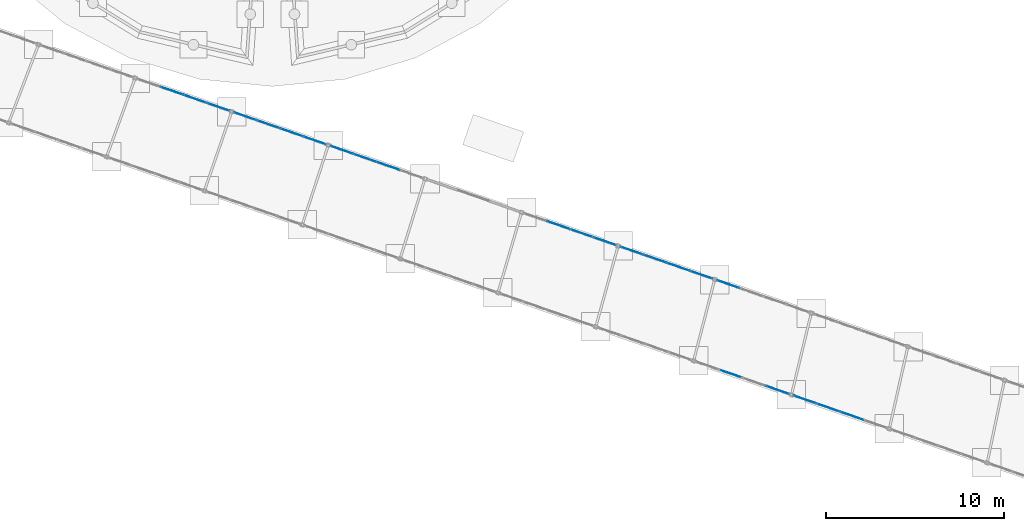
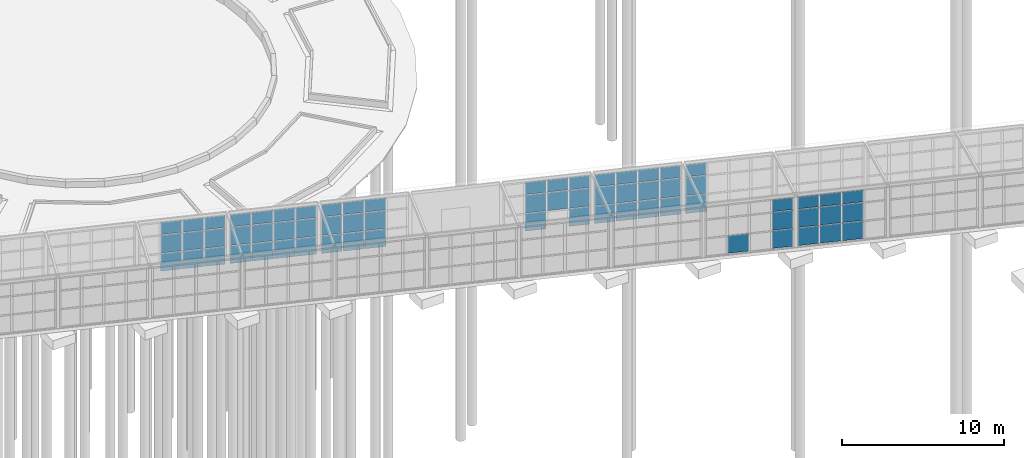
# One storey, part 125 of 226: 66 plates, 8 elements without a shape of their own.
"""IFC4 building model written with IfcOpenShell, lengths in metres."""

from ifc_helpers import new_model, si_unit, direction, frame, origin, origin_2d, place, context, subcontext, project, spatial, rectangle, extrude, material, layer, layer_set, type_object, element, aggregate, save


model = new_model("IFC4")

# Units and contexts
model_context = context("Model", 3, precision=1e-05, world=origin(), true_north=direction((0.0, 1.0)))
body_context = subcontext(model_context, "Body", "Model", "MODEL_VIEW")
ifc_project = project(units=[si_unit("LENGTHUNIT", "METRE"), si_unit("AREAUNIT", "SQUARE_METRE"), si_unit("VOLUMEUNIT", "CUBIC_METRE"), si_unit("PLANEANGLEUNIT", "RADIAN"), si_unit("MASSUNIT", "GRAM", prefix="KILO")], contexts=[model_context])

# Site, building, storey
site_placement = place(None, origin())
site = spatial("IfcSite", under=ifc_project, at=site_placement, CompositionType="ELEMENT")
building_placement = place(site_placement, origin())
building = spatial("IfcBuilding", under=site, at=building_placement, Name="Ceibo Conservatory and Research Tower", CompositionType="ELEMENT")
storey_placement = place(building_placement, origin())
storey = spatial("IfcBuildingStorey", under=building, at=storey_placement, Name="L00", CompositionType="ELEMENT", Elevation=0.0)

# Curtain wall, plates
ifc_material_1 = material(Name="Aluminium and glass", Category="aluminium")
curtain_wall_type = type_object("IfcCurtainWallType", Name="Gallery curtain wall", PredefinedType="NOTDEFINED", material=ifc_material_1)
curtain_wall_1_placement = place(storey_placement, origin())
curtain_wall_1 = element("IfcCurtainWall", 1, at=curtain_wall_1_placement, inside=storey, type_object=curtain_wall_type, Name="Gallery curtain wall AUD-VC-CWN05", PredefinedType="NOTDEFINED")
ifc_material_2 = material(Name="Laminated glass", Category="glass")
ifc_layer = layer(ifc_material_2, 0.028076171875)
ifc_layer_set = layer_set([ifc_layer], Name="Laminated glass")
plate_type = type_object("IfcPlateType", Name="Gallery glass 28", PredefinedType="CURTAIN_PANEL", material=ifc_layer_set)
plate_1_placement = place(storey_placement, frame((90.358154296875, 61.75439453125, 0.06005859375), z_axis=(0.0, 0.0, 1.0), x_axis=(0.944579236191, -0.328283515513, 0.0)))
plate_1 = element("IfcPlate", 2, at=plate_1_placement, type_object=plate_type, Name="AUD-VC-CWN05 panel 2.1", PredefinedType="CURTAIN_PANEL", context=body_context, shape_type="SweptSolid", body=[
    extrude(rectangle(XDim=1.32470703125, YDim=0.028076171875, at=origin_2d()), origin(), (0.0, 0.0, 1.0), 1.31005859375),
])
plate_2_placement = place(storey_placement, frame((90.358154296875, 61.75439453125, 1.43017578125), z_axis=(0.0, 0.0, 1.0), x_axis=(0.944579236191, -0.328283515513, 0.0)))
plate_2 = element("IfcPlate", 3, at=plate_2_placement, type_object=plate_type, Name="AUD-VC-CWN05 panel 2.2", PredefinedType="CURTAIN_PANEL", context=body_context, shape_type="SweptSolid", body=[
    extrude(rectangle(XDim=1.32470703125, YDim=0.028076171875, at=origin_2d()), origin(), (0.0, 0.0, 1.0), 1.340087890625),
])
plate_3_placement = place(storey_placement, frame((90.358154296875, 61.75439453125, 2.830078125), z_axis=(0.0, 0.0, 1.0), x_axis=(0.944579236191, -0.328283515513, 0.0)))
plate_3 = element("IfcPlate", 4, at=plate_3_placement, type_object=plate_type, Name="AUD-VC-CWN05 panel 2.3", PredefinedType="CURTAIN_PANEL", context=body_context, shape_type="SweptSolid", body=[
    extrude(rectangle(XDim=1.32470703125, YDim=0.028076171875, at=origin_2d()), origin(), (0.0, 0.0, 1.0), 0.909912109375),
])
plate_4_placement = place(storey_placement, frame((91.666259765625, 61.300048828125, 0.06005859375), z_axis=(0.0, 0.0, 1.0), x_axis=(0.944579236191, -0.328283515513, 0.0)))
plate_4 = element("IfcPlate", 5, at=plate_4_placement, type_object=plate_type, Name="AUD-VC-CWN05 panel 3.1", PredefinedType="CURTAIN_PANEL", context=body_context, shape_type="SweptSolid", body=[
    extrude(rectangle(XDim=1.32470703125, YDim=0.028076171875, at=origin_2d()), origin(), (0.0, 0.0, 1.0), 1.31005859375),
])
plate_5_placement = place(storey_placement, frame((91.666259765625, 61.300048828125, 1.43017578125), z_axis=(0.0, 0.0, 1.0), x_axis=(0.944579236191, -0.328283515513, 0.0)))
plate_5 = element("IfcPlate", 6, at=plate_5_placement, type_object=plate_type, Name="AUD-VC-CWN05 panel 3.2", PredefinedType="CURTAIN_PANEL", context=body_context, shape_type="SweptSolid", body=[
    extrude(rectangle(XDim=1.32470703125, YDim=0.028076171875, at=origin_2d()), origin(), (0.0, 0.0, 1.0), 1.340087890625),
])
plate_6_placement = place(storey_placement, frame((91.666259765625, 61.300048828125, 2.830078125), z_axis=(0.0, 0.0, 1.0), x_axis=(0.944579236191, -0.328283515513, 0.0)))
plate_6 = element("IfcPlate", 7, at=plate_6_placement, type_object=plate_type, Name="AUD-VC-CWN05 panel 3.3", PredefinedType="CURTAIN_PANEL", context=body_context, shape_type="SweptSolid", body=[
    extrude(rectangle(XDim=1.32470703125, YDim=0.028076171875, at=origin_2d()), origin(), (0.0, 0.0, 1.0), 0.909912109375),
])
plate_7_placement = place(storey_placement, frame((92.9599609375, 60.850341796875, 0.06005859375), z_axis=(0.0, 0.0, 1.0), x_axis=(0.944579236191, -0.328283515513, 0.0)))
plate_7 = element("IfcPlate", 8, at=plate_7_placement, type_object=plate_type, Name="AUD-VC-CWN05 panel 4.1", PredefinedType="CURTAIN_PANEL", context=body_context, shape_type="SweptSolid", body=[
    extrude(rectangle(XDim=1.294677734375, YDim=0.028076171875, at=origin_2d()), origin(), (0.0, 0.0, 1.0), 1.31005859375),
])
plate_8_placement = place(storey_placement, frame((92.9599609375, 60.850341796875, 1.43017578125), z_axis=(0.0, 0.0, 1.0), x_axis=(0.944579236191, -0.328283515513, 0.0)))
plate_8 = element("IfcPlate", 9, at=plate_8_placement, type_object=plate_type, Name="AUD-VC-CWN05 panel 4.2", PredefinedType="CURTAIN_PANEL", context=body_context, shape_type="SweptSolid", body=[
    extrude(rectangle(XDim=1.294677734375, YDim=0.028076171875, at=origin_2d()), origin(), (0.0, 0.0, 1.0), 1.340087890625),
])
plate_9_placement = place(storey_placement, frame((92.9599609375, 60.850341796875, 2.830078125), z_axis=(0.0, 0.0, 1.0), x_axis=(0.944579236191, -0.328283515513, 0.0)))
plate_9 = element("IfcPlate", 10, at=plate_9_placement, type_object=plate_type, Name="AUD-VC-CWN05 panel 4.3", PredefinedType="CURTAIN_PANEL", context=body_context, shape_type="SweptSolid", body=[
    extrude(rectangle(XDim=1.294677734375, YDim=0.028076171875, at=origin_2d()), origin(), (0.0, 0.0, 1.0), 0.909912109375),
])
aggregate(curtain_wall_1, [plate_1, plate_2, plate_3, plate_4, plate_5, plate_6, plate_7, plate_8, plate_9])

curtain_wall_2_placement = place(storey_placement, origin())
curtain_wall_2 = element("IfcCurtainWall", 11, at=curtain_wall_2_placement, inside=storey, type_object=curtain_wall_type, Name="Gallery curtain wall AUD-VC-CWN06", PredefinedType="NOTDEFINED")
plate_10_placement = place(storey_placement, frame((94.485107421875, 60.3203125, 0.06005859375), z_axis=(0.0, 0.0, 1.0), x_axis=(0.944579236191, -0.328283515513, 0.0)))
plate_10 = element("IfcPlate", 12, at=plate_10_placement, type_object=plate_type, Name="AUD-VC-CWN06 panel 1.1", PredefinedType="CURTAIN_PANEL", context=body_context, shape_type="SweptSolid", body=[
    extrude(rectangle(XDim=1.294677734375, YDim=0.028076171875, at=origin_2d()), origin(), (0.0, 0.0, 1.0), 1.31005859375),
])
plate_11_placement = place(storey_placement, frame((94.485107421875, 60.3203125, 1.43017578125), z_axis=(0.0, 0.0, 1.0), x_axis=(0.944579236191, -0.328283515513, 0.0)))
plate_11 = element("IfcPlate", 13, at=plate_11_placement, type_object=plate_type, Name="AUD-VC-CWN06 panel 1.2", PredefinedType="CURTAIN_PANEL", context=body_context, shape_type="SweptSolid", body=[
    extrude(rectangle(XDim=1.294677734375, YDim=0.028076171875, at=origin_2d()), origin(), (0.0, 0.0, 1.0), 1.340087890625),
])
plate_12_placement = place(storey_placement, frame((94.485107421875, 60.3203125, 2.830078125), z_axis=(0.0, 0.0, 1.0), x_axis=(0.944579236191, -0.328283515513, 0.0)))
plate_12 = element("IfcPlate", 14, at=plate_12_placement, type_object=plate_type, Name="AUD-VC-CWN06 panel 1.3", PredefinedType="CURTAIN_PANEL", context=body_context, shape_type="SweptSolid", body=[
    extrude(rectangle(XDim=1.294677734375, YDim=0.028076171875, at=origin_2d()), origin(), (0.0, 0.0, 1.0), 0.909912109375),
])
plate_13_placement = place(storey_placement, frame((95.77880859375, 59.87060546875, 0.06005859375), z_axis=(0.0, 0.0, 1.0), x_axis=(0.944579236191, -0.328283515513, 0.0)))
plate_13 = element("IfcPlate", 15, at=plate_13_placement, type_object=plate_type, Name="AUD-VC-CWN06 panel 2.1", PredefinedType="CURTAIN_PANEL", context=body_context, shape_type="SweptSolid", body=[
    extrude(rectangle(XDim=1.32470703125, YDim=0.028076171875, at=origin_2d()), origin(), (0.0, 0.0, 1.0), 1.31005859375),
])
plate_14_placement = place(storey_placement, frame((95.77880859375, 59.87060546875, 1.43017578125), z_axis=(0.0, 0.0, 1.0), x_axis=(0.944579236191, -0.328283515513, 0.0)))
plate_14 = element("IfcPlate", 16, at=plate_14_placement, type_object=plate_type, Name="AUD-VC-CWN06 panel 2.2", PredefinedType="CURTAIN_PANEL", context=body_context, shape_type="SweptSolid", body=[
    extrude(rectangle(XDim=1.32470703125, YDim=0.028076171875, at=origin_2d()), origin(), (0.0, 0.0, 1.0), 1.340087890625),
])
plate_15_placement = place(storey_placement, frame((95.77880859375, 59.87060546875, 2.830078125), z_axis=(0.0, 0.0, 1.0), x_axis=(0.944579236191, -0.328283515513, 0.0)))
plate_15 = element("IfcPlate", 17, at=plate_15_placement, type_object=plate_type, Name="AUD-VC-CWN06 panel 2.3", PredefinedType="CURTAIN_PANEL", context=body_context, shape_type="SweptSolid", body=[
    extrude(rectangle(XDim=1.32470703125, YDim=0.028076171875, at=origin_2d()), origin(), (0.0, 0.0, 1.0), 0.909912109375),
])
plate_16_placement = place(storey_placement, frame((97.086669921875, 59.416015625, 0.06005859375), z_axis=(0.0, 0.0, 1.0), x_axis=(0.944579236191, -0.328283515513, 0.0)))
plate_16 = element("IfcPlate", 18, at=plate_16_placement, type_object=plate_type, Name="AUD-VC-CWN06 panel 3.1", PredefinedType="CURTAIN_PANEL", context=body_context, shape_type="SweptSolid", body=[
    extrude(rectangle(XDim=1.32470703125, YDim=0.028076171875, at=origin_2d()), origin(), (0.0, 0.0, 1.0), 1.31005859375),
])
plate_17_placement = place(storey_placement, frame((97.086669921875, 59.416015625, 1.43017578125), z_axis=(0.0, 0.0, 1.0), x_axis=(0.944579236191, -0.328283515513, 0.0)))
plate_17 = element("IfcPlate", 19, at=plate_17_placement, type_object=plate_type, Name="AUD-VC-CWN06 panel 3.2", PredefinedType="CURTAIN_PANEL", context=body_context, shape_type="SweptSolid", body=[
    extrude(rectangle(XDim=1.32470703125, YDim=0.028076171875, at=origin_2d()), origin(), (0.0, 0.0, 1.0), 1.340087890625),
])
plate_18_placement = place(storey_placement, frame((97.086669921875, 59.416015625, 2.830078125), z_axis=(0.0, 0.0, 1.0), x_axis=(0.944579236191, -0.328283515513, 0.0)))
plate_18 = element("IfcPlate", 20, at=plate_18_placement, type_object=plate_type, Name="AUD-VC-CWN06 panel 3.3", PredefinedType="CURTAIN_PANEL", context=body_context, shape_type="SweptSolid", body=[
    extrude(rectangle(XDim=1.32470703125, YDim=0.028076171875, at=origin_2d()), origin(), (0.0, 0.0, 1.0), 0.909912109375),
])
plate_19_placement = place(storey_placement, frame((98.380615234375, 58.96630859375, 0.06005859375), z_axis=(0.0, 0.0, 1.0), x_axis=(0.944579236191, -0.328283515513, 0.0)))
plate_19 = element("IfcPlate", 21, at=plate_19_placement, type_object=plate_type, Name="AUD-VC-CWN06 panel 4.1", PredefinedType="CURTAIN_PANEL", context=body_context, shape_type="SweptSolid", body=[
    extrude(rectangle(XDim=1.294677734375, YDim=0.028076171875, at=origin_2d()), origin(), (0.0, 0.0, 1.0), 1.31005859375),
])
plate_20_placement = place(storey_placement, frame((98.380615234375, 58.96630859375, 1.43017578125), z_axis=(0.0, 0.0, 1.0), x_axis=(0.944579236191, -0.328283515513, 0.0)))
plate_20 = element("IfcPlate", 22, at=plate_20_placement, type_object=plate_type, Name="AUD-VC-CWN06 panel 4.2", PredefinedType="CURTAIN_PANEL", context=body_context, shape_type="SweptSolid", body=[
    extrude(rectangle(XDim=1.294677734375, YDim=0.028076171875, at=origin_2d()), origin(), (0.0, 0.0, 1.0), 1.340087890625),
])
plate_21_placement = place(storey_placement, frame((98.380615234375, 58.96630859375, 2.830078125), z_axis=(0.0, 0.0, 1.0), x_axis=(0.944579236191, -0.328283515513, 0.0)))
plate_21 = element("IfcPlate", 23, at=plate_21_placement, type_object=plate_type, Name="AUD-VC-CWN06 panel 4.3", PredefinedType="CURTAIN_PANEL", context=body_context, shape_type="SweptSolid", body=[
    extrude(rectangle(XDim=1.294677734375, YDim=0.028076171875, at=origin_2d()), origin(), (0.0, 0.0, 1.0), 0.909912109375),
])
aggregate(curtain_wall_2, [plate_10, plate_11, plate_12, plate_13, plate_14, plate_15, plate_16, plate_17, plate_18, plate_19, plate_20, plate_21])

curtain_wall_3_placement = place(storey_placement, origin())
curtain_wall_3 = element("IfcCurtainWall", 24, at=curtain_wall_3_placement, inside=storey, type_object=curtain_wall_type, Name="Gallery curtain wall AUD-VC-CWN07", PredefinedType="NOTDEFINED")
plate_22_placement = place(storey_placement, frame((99.90576171875, 58.436279296875, 0.06005859375), z_axis=(0.0, 0.0, 1.0), x_axis=(0.944579236191, -0.328283515513, 0.0)))
plate_22 = element("IfcPlate", 25, at=plate_22_placement, type_object=plate_type, Name="AUD-VC-CWN07 panel 1.1", PredefinedType="CURTAIN_PANEL", context=body_context, shape_type="SweptSolid", body=[
    extrude(rectangle(XDim=1.294677734375, YDim=0.028076171875, at=origin_2d()), origin(), (0.0, 0.0, 1.0), 1.31005859375),
])
plate_23_placement = place(storey_placement, frame((99.90576171875, 58.436279296875, 1.43017578125), z_axis=(0.0, 0.0, 1.0), x_axis=(0.944579236191, -0.328283515513, 0.0)))
plate_23 = element("IfcPlate", 26, at=plate_23_placement, type_object=plate_type, Name="AUD-VC-CWN07 panel 1.2", PredefinedType="CURTAIN_PANEL", context=body_context, shape_type="SweptSolid", body=[
    extrude(rectangle(XDim=1.294677734375, YDim=0.028076171875, at=origin_2d()), origin(), (0.0, 0.0, 1.0), 1.340087890625),
])
plate_24_placement = place(storey_placement, frame((99.90576171875, 58.436279296875, 2.830078125), z_axis=(0.0, 0.0, 1.0), x_axis=(0.944579236191, -0.328283515513, 0.0)))
plate_24 = element("IfcPlate", 27, at=plate_24_placement, type_object=plate_type, Name="AUD-VC-CWN07 panel 1.3", PredefinedType="CURTAIN_PANEL", context=body_context, shape_type="SweptSolid", body=[
    extrude(rectangle(XDim=1.294677734375, YDim=0.028076171875, at=origin_2d()), origin(), (0.0, 0.0, 1.0), 0.909912109375),
])
plate_25_placement = place(storey_placement, frame((101.199462890625, 57.98681640625, 0.06005859375), z_axis=(0.0, 0.0, 1.0), x_axis=(0.944579236191, -0.328283515513, 0.0)))
plate_25 = element("IfcPlate", 28, at=plate_25_placement, type_object=plate_type, Name="AUD-VC-CWN07 panel 2.1", PredefinedType="CURTAIN_PANEL", context=body_context, shape_type="SweptSolid", body=[
    extrude(rectangle(XDim=1.32470703125, YDim=0.028076171875, at=origin_2d()), origin(), (0.0, 0.0, 1.0), 1.31005859375),
])
plate_26_placement = place(storey_placement, frame((101.199462890625, 57.98681640625, 1.43017578125), z_axis=(0.0, 0.0, 1.0), x_axis=(0.944579236191, -0.328283515513, 0.0)))
plate_26 = element("IfcPlate", 29, at=plate_26_placement, type_object=plate_type, Name="AUD-VC-CWN07 panel 2.2", PredefinedType="CURTAIN_PANEL", context=body_context, shape_type="SweptSolid", body=[
    extrude(rectangle(XDim=1.32470703125, YDim=0.028076171875, at=origin_2d()), origin(), (0.0, 0.0, 1.0), 1.340087890625),
])
plate_27_placement = place(storey_placement, frame((101.199462890625, 57.98681640625, 2.830078125), z_axis=(0.0, 0.0, 1.0), x_axis=(0.944579236191, -0.328283515513, 0.0)))
plate_27 = element("IfcPlate", 30, at=plate_27_placement, type_object=plate_type, Name="AUD-VC-CWN07 panel 2.3", PredefinedType="CURTAIN_PANEL", context=body_context, shape_type="SweptSolid", body=[
    extrude(rectangle(XDim=1.32470703125, YDim=0.028076171875, at=origin_2d()), origin(), (0.0, 0.0, 1.0), 0.909912109375),
])
plate_28_placement = place(storey_placement, frame((102.50732421875, 57.5322265625, 0.06005859375), z_axis=(0.0, 0.0, 1.0), x_axis=(0.944579236191, -0.328283515513, 0.0)))
plate_28 = element("IfcPlate", 31, at=plate_28_placement, type_object=plate_type, Name="AUD-VC-CWN07 panel 3.1", PredefinedType="CURTAIN_PANEL", context=body_context, shape_type="SweptSolid", body=[
    extrude(rectangle(XDim=1.32470703125, YDim=0.028076171875, at=origin_2d()), origin(), (0.0, 0.0, 1.0), 1.31005859375),
])
plate_29_placement = place(storey_placement, frame((102.50732421875, 57.5322265625, 1.43017578125), z_axis=(0.0, 0.0, 1.0), x_axis=(0.944579236191, -0.328283515513, 0.0)))
plate_29 = element("IfcPlate", 32, at=plate_29_placement, type_object=plate_type, Name="AUD-VC-CWN07 panel 3.2", PredefinedType="CURTAIN_PANEL", context=body_context, shape_type="SweptSolid", body=[
    extrude(rectangle(XDim=1.32470703125, YDim=0.028076171875, at=origin_2d()), origin(), (0.0, 0.0, 1.0), 1.340087890625),
])
plate_30_placement = place(storey_placement, frame((102.50732421875, 57.5322265625, 2.830078125), z_axis=(0.0, 0.0, 1.0), x_axis=(0.944579236191, -0.328283515513, 0.0)))
plate_30 = element("IfcPlate", 33, at=plate_30_placement, type_object=plate_type, Name="AUD-VC-CWN07 panel 3.3", PredefinedType="CURTAIN_PANEL", context=body_context, shape_type="SweptSolid", body=[
    extrude(rectangle(XDim=1.32470703125, YDim=0.028076171875, at=origin_2d()), origin(), (0.0, 0.0, 1.0), 0.909912109375),
])
aggregate(curtain_wall_3, [plate_22, plate_23, plate_24, plate_25, plate_26, plate_27, plate_28, plate_29, plate_30])

curtain_wall_4_placement = place(storey_placement, origin())
curtain_wall_4 = element("IfcCurtainWall", 34, at=curtain_wall_4_placement, inside=storey, type_object=curtain_wall_type, Name="Gallery curtain wall AUD-VC-CWN09", PredefinedType="NOTDEFINED")
plate_31_placement = place(storey_placement, frame((112.04052734375, 54.218994140625, 0.06005859375), z_axis=(0.0, 0.0, 1.0), x_axis=(0.944579236191, -0.328283515513, 0.0)))
plate_31 = element("IfcPlate", 35, at=plate_31_placement, type_object=plate_type, Name="AUD-VC-CWN09 panel 2.1", PredefinedType="CURTAIN_PANEL", context=body_context, shape_type="SweptSolid", body=[
    extrude(rectangle(XDim=1.32470703125, YDim=0.028076171875, at=origin_2d()), origin(), (0.0, 0.0, 1.0), 1.31005859375),
])
plate_32_placement = place(storey_placement, frame((112.04052734375, 54.218994140625, 1.43017578125), z_axis=(0.0, 0.0, 1.0), x_axis=(0.944579236191, -0.328283515513, 0.0)))
plate_32 = element("IfcPlate", 36, at=plate_32_placement, type_object=plate_type, Name="AUD-VC-CWN09 panel 2.2", PredefinedType="CURTAIN_PANEL", context=body_context, shape_type="SweptSolid", body=[
    extrude(rectangle(XDim=1.32470703125, YDim=0.028076171875, at=origin_2d()), origin(), (0.0, 0.0, 1.0), 1.340087890625),
])
plate_33_placement = place(storey_placement, frame((112.04052734375, 54.218994140625, 2.830078125), z_axis=(0.0, 0.0, 1.0), x_axis=(0.944579236191, -0.328283515513, 0.0)))
plate_33 = element("IfcPlate", 37, at=plate_33_placement, type_object=plate_type, Name="AUD-VC-CWN09 panel 2.3", PredefinedType="CURTAIN_PANEL", context=body_context, shape_type="SweptSolid", body=[
    extrude(rectangle(XDim=1.32470703125, YDim=0.028076171875, at=origin_2d()), origin(), (0.0, 0.0, 1.0), 0.909912109375),
])
plate_34_placement = place(storey_placement, frame((113.3486328125, 53.764404296875, 1.43017578125), z_axis=(0.0, 0.0, 1.0), x_axis=(0.944579236191, -0.328283515513, 0.0)))
plate_34 = element("IfcPlate", 38, at=plate_34_placement, type_object=plate_type, Name="AUD-VC-CWN09 panel 3.2", PredefinedType="CURTAIN_PANEL", context=body_context, shape_type="SweptSolid", body=[
    extrude(rectangle(XDim=1.32470703125, YDim=0.028076171875, at=origin_2d()), origin(), (0.0, 0.0, 1.0), 1.340087890625),
])
plate_35_placement = place(storey_placement, frame((113.3486328125, 53.764404296875, 2.830078125), z_axis=(0.0, 0.0, 1.0), x_axis=(0.944579236191, -0.328283515513, 0.0)))
plate_35 = element("IfcPlate", 39, at=plate_35_placement, type_object=plate_type, Name="AUD-VC-CWN09 panel 3.3", PredefinedType="CURTAIN_PANEL", context=body_context, shape_type="SweptSolid", body=[
    extrude(rectangle(XDim=1.32470703125, YDim=0.028076171875, at=origin_2d()), origin(), (0.0, 0.0, 1.0), 0.909912109375),
])
plate_36_placement = place(storey_placement, frame((114.642333984375, 53.314697265625, 0.06005859375), z_axis=(0.0, 0.0, 1.0), x_axis=(0.944579236191, -0.328283515513, 0.0)))
plate_36 = element("IfcPlate", 40, at=plate_36_placement, type_object=plate_type, Name="AUD-VC-CWN09 panel 4.1", PredefinedType="CURTAIN_PANEL", context=body_context, shape_type="SweptSolid", body=[
    extrude(rectangle(XDim=1.294677734375, YDim=0.028076171875, at=origin_2d()), origin(), (0.0, 0.0, 1.0), 1.31005859375),
])
plate_37_placement = place(storey_placement, frame((114.642333984375, 53.314697265625, 1.43017578125), z_axis=(0.0, 0.0, 1.0), x_axis=(0.944579236191, -0.328283515513, 0.0)))
plate_37 = element("IfcPlate", 41, at=plate_37_placement, type_object=plate_type, Name="AUD-VC-CWN09 panel 4.2", PredefinedType="CURTAIN_PANEL", context=body_context, shape_type="SweptSolid", body=[
    extrude(rectangle(XDim=1.294677734375, YDim=0.028076171875, at=origin_2d()), origin(), (0.0, 0.0, 1.0), 1.340087890625),
])
plate_38_placement = place(storey_placement, frame((114.642333984375, 53.314697265625, 2.830078125), z_axis=(0.0, 0.0, 1.0), x_axis=(0.944579236191, -0.328283515513, 0.0)))
plate_38 = element("IfcPlate", 42, at=plate_38_placement, type_object=plate_type, Name="AUD-VC-CWN09 panel 4.3", PredefinedType="CURTAIN_PANEL", context=body_context, shape_type="SweptSolid", body=[
    extrude(rectangle(XDim=1.294677734375, YDim=0.028076171875, at=origin_2d()), origin(), (0.0, 0.0, 1.0), 0.909912109375),
])
aggregate(curtain_wall_4, [plate_31, plate_32, plate_33, plate_34, plate_35, plate_36, plate_37, plate_38])

curtain_wall_5_placement = place(storey_placement, origin())
curtain_wall_5 = element("IfcCurtainWall", 43, at=curtain_wall_5_placement, inside=storey, type_object=curtain_wall_type, Name="Gallery curtain wall AUD-VC-CWN10", PredefinedType="NOTDEFINED")
plate_39_placement = place(storey_placement, frame((116.16748046875, 52.78466796875, 0.06005859375), z_axis=(0.0, 0.0, 1.0), x_axis=(0.944579236191, -0.328283515513, 0.0)))
plate_39 = element("IfcPlate", 44, at=plate_39_placement, type_object=plate_type, Name="AUD-VC-CWN10 panel 1.1", PredefinedType="CURTAIN_PANEL", context=body_context, shape_type="SweptSolid", body=[
    extrude(rectangle(XDim=1.294677734375, YDim=0.028076171875, at=origin_2d()), origin(), (0.0, 0.0, 1.0), 1.31005859375),
])
plate_40_placement = place(storey_placement, frame((116.16748046875, 52.78466796875, 1.43017578125), z_axis=(0.0, 0.0, 1.0), x_axis=(0.944579236191, -0.328283515513, 0.0)))
plate_40 = element("IfcPlate", 45, at=plate_40_placement, type_object=plate_type, Name="AUD-VC-CWN10 panel 1.2", PredefinedType="CURTAIN_PANEL", context=body_context, shape_type="SweptSolid", body=[
    extrude(rectangle(XDim=1.294677734375, YDim=0.028076171875, at=origin_2d()), origin(), (0.0, 0.0, 1.0), 1.340087890625),
])
plate_41_placement = place(storey_placement, frame((116.16748046875, 52.78466796875, 2.830078125), z_axis=(0.0, 0.0, 1.0), x_axis=(0.944579236191, -0.328283515513, 0.0)))
plate_41 = element("IfcPlate", 46, at=plate_41_placement, type_object=plate_type, Name="AUD-VC-CWN10 panel 1.3", PredefinedType="CURTAIN_PANEL", context=body_context, shape_type="SweptSolid", body=[
    extrude(rectangle(XDim=1.294677734375, YDim=0.028076171875, at=origin_2d()), origin(), (0.0, 0.0, 1.0), 0.909912109375),
])
plate_42_placement = place(storey_placement, frame((117.461181640625, 52.3349609375, 0.06005859375), z_axis=(0.0, 0.0, 1.0), x_axis=(0.944579236191, -0.328283515513, 0.0)))
plate_42 = element("IfcPlate", 47, at=plate_42_placement, type_object=plate_type, Name="AUD-VC-CWN10 panel 2.1", PredefinedType="CURTAIN_PANEL", context=body_context, shape_type="SweptSolid", body=[
    extrude(rectangle(XDim=1.32470703125, YDim=0.028076171875, at=origin_2d()), origin(), (0.0, 0.0, 1.0), 1.31005859375),
])
plate_43_placement = place(storey_placement, frame((117.461181640625, 52.3349609375, 1.43017578125), z_axis=(0.0, 0.0, 1.0), x_axis=(0.944579236191, -0.328283515513, 0.0)))
plate_43 = element("IfcPlate", 48, at=plate_43_placement, type_object=plate_type, Name="AUD-VC-CWN10 panel 2.2", PredefinedType="CURTAIN_PANEL", context=body_context, shape_type="SweptSolid", body=[
    extrude(rectangle(XDim=1.32470703125, YDim=0.028076171875, at=origin_2d()), origin(), (0.0, 0.0, 1.0), 1.340087890625),
])
plate_44_placement = place(storey_placement, frame((117.461181640625, 52.3349609375, 2.830078125), z_axis=(0.0, 0.0, 1.0), x_axis=(0.944579236191, -0.328283515513, 0.0)))
plate_44 = element("IfcPlate", 49, at=plate_44_placement, type_object=plate_type, Name="AUD-VC-CWN10 panel 2.3", PredefinedType="CURTAIN_PANEL", context=body_context, shape_type="SweptSolid", body=[
    extrude(rectangle(XDim=1.32470703125, YDim=0.028076171875, at=origin_2d()), origin(), (0.0, 0.0, 1.0), 0.909912109375),
])
plate_45_placement = place(storey_placement, frame((118.76904296875, 51.88037109375, 0.06005859375), z_axis=(0.0, 0.0, 1.0), x_axis=(0.944579236191, -0.328283515513, 0.0)))
plate_45 = element("IfcPlate", 50, at=plate_45_placement, type_object=plate_type, Name="AUD-VC-CWN10 panel 3.1", PredefinedType="CURTAIN_PANEL", context=body_context, shape_type="SweptSolid", body=[
    extrude(rectangle(XDim=1.32470703125, YDim=0.028076171875, at=origin_2d()), origin(), (0.0, 0.0, 1.0), 1.31005859375),
])
plate_46_placement = place(storey_placement, frame((118.76904296875, 51.88037109375, 1.43017578125), z_axis=(0.0, 0.0, 1.0), x_axis=(0.944579236191, -0.328283515513, 0.0)))
plate_46 = element("IfcPlate", 51, at=plate_46_placement, type_object=plate_type, Name="AUD-VC-CWN10 panel 3.2", PredefinedType="CURTAIN_PANEL", context=body_context, shape_type="SweptSolid", body=[
    extrude(rectangle(XDim=1.32470703125, YDim=0.028076171875, at=origin_2d()), origin(), (0.0, 0.0, 1.0), 1.340087890625),
])
plate_47_placement = place(storey_placement, frame((118.76904296875, 51.88037109375, 2.830078125), z_axis=(0.0, 0.0, 1.0), x_axis=(0.944579236191, -0.328283515513, 0.0)))
plate_47 = element("IfcPlate", 52, at=plate_47_placement, type_object=plate_type, Name="AUD-VC-CWN10 panel 3.3", PredefinedType="CURTAIN_PANEL", context=body_context, shape_type="SweptSolid", body=[
    extrude(rectangle(XDim=1.32470703125, YDim=0.028076171875, at=origin_2d()), origin(), (0.0, 0.0, 1.0), 0.909912109375),
])
plate_48_placement = place(storey_placement, frame((120.06298828125, 51.430908203125, 0.06005859375), z_axis=(0.0, 0.0, 1.0), x_axis=(0.944579236191, -0.328283515513, 0.0)))
plate_48 = element("IfcPlate", 53, at=plate_48_placement, type_object=plate_type, Name="AUD-VC-CWN10 panel 4.1", PredefinedType="CURTAIN_PANEL", context=body_context, shape_type="SweptSolid", body=[
    extrude(rectangle(XDim=1.294677734375, YDim=0.028076171875, at=origin_2d()), origin(), (0.0, 0.0, 1.0), 1.31005859375),
])
plate_49_placement = place(storey_placement, frame((120.06298828125, 51.430908203125, 1.43017578125), z_axis=(0.0, 0.0, 1.0), x_axis=(0.944579236191, -0.328283515513, 0.0)))
plate_49 = element("IfcPlate", 54, at=plate_49_placement, type_object=plate_type, Name="AUD-VC-CWN10 panel 4.2", PredefinedType="CURTAIN_PANEL", context=body_context, shape_type="SweptSolid", body=[
    extrude(rectangle(XDim=1.294677734375, YDim=0.028076171875, at=origin_2d()), origin(), (0.0, 0.0, 1.0), 1.340087890625),
])
plate_50_placement = place(storey_placement, frame((120.06298828125, 51.430908203125, 2.830078125), z_axis=(0.0, 0.0, 1.0), x_axis=(0.944579236191, -0.328283515513, 0.0)))
plate_50 = element("IfcPlate", 55, at=plate_50_placement, type_object=plate_type, Name="AUD-VC-CWN10 panel 4.3", PredefinedType="CURTAIN_PANEL", context=body_context, shape_type="SweptSolid", body=[
    extrude(rectangle(XDim=1.294677734375, YDim=0.028076171875, at=origin_2d()), origin(), (0.0, 0.0, 1.0), 0.909912109375),
])
aggregate(curtain_wall_5, [plate_39, plate_40, plate_41, plate_42, plate_43, plate_44, plate_45, plate_46, plate_47, plate_48, plate_49, plate_50])

curtain_wall_6_placement = place(storey_placement, origin())
curtain_wall_6 = element("IfcCurtainWall", 56, at=curtain_wall_6_placement, inside=storey, type_object=curtain_wall_type, Name="Gallery curtain wall AUD-VC-CWN11", PredefinedType="NOTDEFINED")
plate_51_placement = place(storey_placement, frame((121.588134765625, 50.900634765625, 0.06005859375), z_axis=(0.0, 0.0, 1.0), x_axis=(0.944579236191, -0.328283515513, 0.0)))
plate_51 = element("IfcPlate", 57, at=plate_51_placement, type_object=plate_type, Name="AUD-VC-CWN11 panel 1.1", PredefinedType="CURTAIN_PANEL", context=body_context, shape_type="SweptSolid", body=[
    extrude(rectangle(XDim=1.294677734375, YDim=0.028076171875, at=origin_2d()), origin(), (0.0, 0.0, 1.0), 1.31005859375),
])
plate_52_placement = place(storey_placement, frame((121.588134765625, 50.900634765625, 1.43017578125), z_axis=(0.0, 0.0, 1.0), x_axis=(0.944579236191, -0.328283515513, 0.0)))
plate_52 = element("IfcPlate", 58, at=plate_52_placement, type_object=plate_type, Name="AUD-VC-CWN11 panel 1.2", PredefinedType="CURTAIN_PANEL", context=body_context, shape_type="SweptSolid", body=[
    extrude(rectangle(XDim=1.294677734375, YDim=0.028076171875, at=origin_2d()), origin(), (0.0, 0.0, 1.0), 1.340087890625),
])
plate_53_placement = place(storey_placement, frame((121.588134765625, 50.900634765625, 2.830078125), z_axis=(0.0, 0.0, 1.0), x_axis=(0.944579236191, -0.328283515513, 0.0)))
plate_53 = element("IfcPlate", 59, at=plate_53_placement, type_object=plate_type, Name="AUD-VC-CWN11 panel 1.3", PredefinedType="CURTAIN_PANEL", context=body_context, shape_type="SweptSolid", body=[
    extrude(rectangle(XDim=1.294677734375, YDim=0.028076171875, at=origin_2d()), origin(), (0.0, 0.0, 1.0), 0.909912109375),
])
aggregate(curtain_wall_6, [plate_51, plate_52, plate_53])

curtain_wall_7_placement = place(storey_placement, origin())
curtain_wall_7 = element("IfcCurtainWall", 60, at=curtain_wall_7_placement, inside=storey, type_object=curtain_wall_type, Name="Gallery curtain wall AUD-VC-CWS11", PredefinedType="NOTDEFINED")
plate_54_placement = place(storey_placement, frame((121.710693359375, 45.88232421875, 0.06005859375), z_axis=(0.0, 0.0, 1.0), x_axis=(0.944579236191, -0.328283515513, 0.0)))
plate_54 = element("IfcPlate", 61, at=plate_54_placement, type_object=plate_type, Name="AUD-VC-CWS11 panel 2.1", PredefinedType="CURTAIN_PANEL", context=body_context, shape_type="SweptSolid", body=[
    extrude(rectangle(XDim=1.342529296875, YDim=0.028076171875, at=origin_2d()), origin(), (0.0, 0.0, 1.0), 1.31005859375),
])
plate_55_placement = place(storey_placement, frame((124.34619140625, 44.96630859375, 0.06005859375), z_axis=(0.0, 0.0, 1.0), x_axis=(0.944579236191, -0.328283515513, 0.0)))
plate_55 = element("IfcPlate", 62, at=plate_55_placement, type_object=plate_type, Name="AUD-VC-CWS11 panel 4.1", PredefinedType="CURTAIN_PANEL", context=body_context, shape_type="SweptSolid", body=[
    extrude(rectangle(XDim=1.3125, YDim=0.028076171875, at=origin_2d()), origin(), (0.0, 0.0, 1.0), 1.31005859375),
])
plate_56_placement = place(storey_placement, frame((124.34619140625, 44.96630859375, 1.43017578125), z_axis=(0.0, 0.0, 1.0), x_axis=(0.944579236191, -0.328283515513, 0.0)))
plate_56 = element("IfcPlate", 63, at=plate_56_placement, type_object=plate_type, Name="AUD-VC-CWS11 panel 4.2", PredefinedType="CURTAIN_PANEL", context=body_context, shape_type="SweptSolid", body=[
    extrude(rectangle(XDim=1.3125, YDim=0.028076171875, at=origin_2d()), origin(), (0.0, 0.0, 1.0), 1.340087890625),
])
plate_57_placement = place(storey_placement, frame((124.34619140625, 44.96630859375, 2.830078125), z_axis=(0.0, 0.0, 1.0), x_axis=(0.944579236191, -0.328283515513, 0.0)))
plate_57 = element("IfcPlate", 64, at=plate_57_placement, type_object=plate_type, Name="AUD-VC-CWS11 panel 4.3", PredefinedType="CURTAIN_PANEL", context=body_context, shape_type="SweptSolid", body=[
    extrude(rectangle(XDim=1.3125, YDim=0.028076171875, at=origin_2d()), origin(), (0.0, 0.0, 1.0), 0.909912109375),
])
aggregate(curtain_wall_7, [plate_54, plate_55, plate_56, plate_57])

curtain_wall_8_placement = place(storey_placement, origin())
curtain_wall_8 = element("IfcCurtainWall", 65, at=curtain_wall_8_placement, inside=storey, type_object=curtain_wall_type, Name="Gallery curtain wall AUD-VC-CWS12", PredefinedType="NOTDEFINED")
plate_58_placement = place(storey_placement, frame((125.88818359375, 44.430419921875, 0.06005859375), z_axis=(0.0, 0.0, 1.0), x_axis=(0.944579236191, -0.328283515513, 0.0)))
plate_58 = element("IfcPlate", 66, at=plate_58_placement, type_object=plate_type, Name="AUD-VC-CWS12 panel 1.1", PredefinedType="CURTAIN_PANEL", context=body_context, shape_type="SweptSolid", body=[
    extrude(rectangle(XDim=1.3125, YDim=0.028076171875, at=origin_2d()), origin(), (0.0, 0.0, 1.0), 1.31005859375),
])
plate_59_placement = place(storey_placement, frame((125.88818359375, 44.430419921875, 1.43017578125), z_axis=(0.0, 0.0, 1.0), x_axis=(0.944579236191, -0.328283515513, 0.0)))
plate_59 = element("IfcPlate", 67, at=plate_59_placement, type_object=plate_type, Name="AUD-VC-CWS12 panel 1.2", PredefinedType="CURTAIN_PANEL", context=body_context, shape_type="SweptSolid", body=[
    extrude(rectangle(XDim=1.3125, YDim=0.028076171875, at=origin_2d()), origin(), (0.0, 0.0, 1.0), 1.340087890625),
])
plate_60_placement = place(storey_placement, frame((125.88818359375, 44.430419921875, 2.830078125), z_axis=(0.0, 0.0, 1.0), x_axis=(0.944579236191, -0.328283515513, 0.0)))
plate_60 = element("IfcPlate", 68, at=plate_60_placement, type_object=plate_type, Name="AUD-VC-CWS12 panel 1.3", PredefinedType="CURTAIN_PANEL", context=body_context, shape_type="SweptSolid", body=[
    extrude(rectangle(XDim=1.3125, YDim=0.028076171875, at=origin_2d()), origin(), (0.0, 0.0, 1.0), 0.909912109375),
])
plate_61_placement = place(storey_placement, frame((127.198974609375, 43.974853515625, 0.06005859375), z_axis=(0.0, 0.0, 1.0), x_axis=(0.944579236191, -0.328283515513, 0.0)))
plate_61 = element("IfcPlate", 69, at=plate_61_placement, type_object=plate_type, Name="AUD-VC-CWS12 panel 2.1", PredefinedType="CURTAIN_PANEL", context=body_context, shape_type="SweptSolid", body=[
    extrude(rectangle(XDim=1.342529296875, YDim=0.028076171875, at=origin_2d()), origin(), (0.0, 0.0, 1.0), 1.31005859375),
])
plate_62_placement = place(storey_placement, frame((127.198974609375, 43.974853515625, 1.43017578125), z_axis=(0.0, 0.0, 1.0), x_axis=(0.944579236191, -0.328283515513, 0.0)))
plate_62 = element("IfcPlate", 70, at=plate_62_placement, type_object=plate_type, Name="AUD-VC-CWS12 panel 2.2", PredefinedType="CURTAIN_PANEL", context=body_context, shape_type="SweptSolid", body=[
    extrude(rectangle(XDim=1.342529296875, YDim=0.028076171875, at=origin_2d()), origin(), (0.0, 0.0, 1.0), 1.340087890625),
])
plate_63_placement = place(storey_placement, frame((127.198974609375, 43.974853515625, 2.830078125), z_axis=(0.0, 0.0, 1.0), x_axis=(0.944579236191, -0.328283515513, 0.0)))
plate_63 = element("IfcPlate", 71, at=plate_63_placement, type_object=plate_type, Name="AUD-VC-CWS12 panel 2.3", PredefinedType="CURTAIN_PANEL", context=body_context, shape_type="SweptSolid", body=[
    extrude(rectangle(XDim=1.342529296875, YDim=0.028076171875, at=origin_2d()), origin(), (0.0, 0.0, 1.0), 0.909912109375),
])
plate_64_placement = place(storey_placement, frame((128.523681640625, 43.514404296875, 0.06005859375), z_axis=(0.0, 0.0, 1.0), x_axis=(0.944579236191, -0.328283515513, 0.0)))
plate_64 = element("IfcPlate", 72, at=plate_64_placement, type_object=plate_type, Name="AUD-VC-CWS12 panel 3.1", PredefinedType="CURTAIN_PANEL", context=body_context, shape_type="SweptSolid", body=[
    extrude(rectangle(XDim=1.342529296875, YDim=0.028076171875, at=origin_2d()), origin(), (0.0, 0.0, 1.0), 1.31005859375),
])
plate_65_placement = place(storey_placement, frame((128.523681640625, 43.514404296875, 1.43017578125), z_axis=(0.0, 0.0, 1.0), x_axis=(0.944579236191, -0.328283515513, 0.0)))
plate_65 = element("IfcPlate", 73, at=plate_65_placement, type_object=plate_type, Name="AUD-VC-CWS12 panel 3.2", PredefinedType="CURTAIN_PANEL", context=body_context, shape_type="SweptSolid", body=[
    extrude(rectangle(XDim=1.342529296875, YDim=0.028076171875, at=origin_2d()), origin(), (0.0, 0.0, 1.0), 1.340087890625),
])
plate_66_placement = place(storey_placement, frame((128.523681640625, 43.514404296875, 2.830078125), z_axis=(0.0, 0.0, 1.0), x_axis=(0.944579236191, -0.328283515513, 0.0)))
plate_66 = element("IfcPlate", 74, at=plate_66_placement, type_object=plate_type, Name="AUD-VC-CWS12 panel 3.3", PredefinedType="CURTAIN_PANEL", context=body_context, shape_type="SweptSolid", body=[
    extrude(rectangle(XDim=1.342529296875, YDim=0.028076171875, at=origin_2d()), origin(), (0.0, 0.0, 1.0), 0.909912109375),
])
aggregate(curtain_wall_8, [plate_58, plate_59, plate_60, plate_61, plate_62, plate_63, plate_64, plate_65, plate_66])

save(model, "model.ifc")
